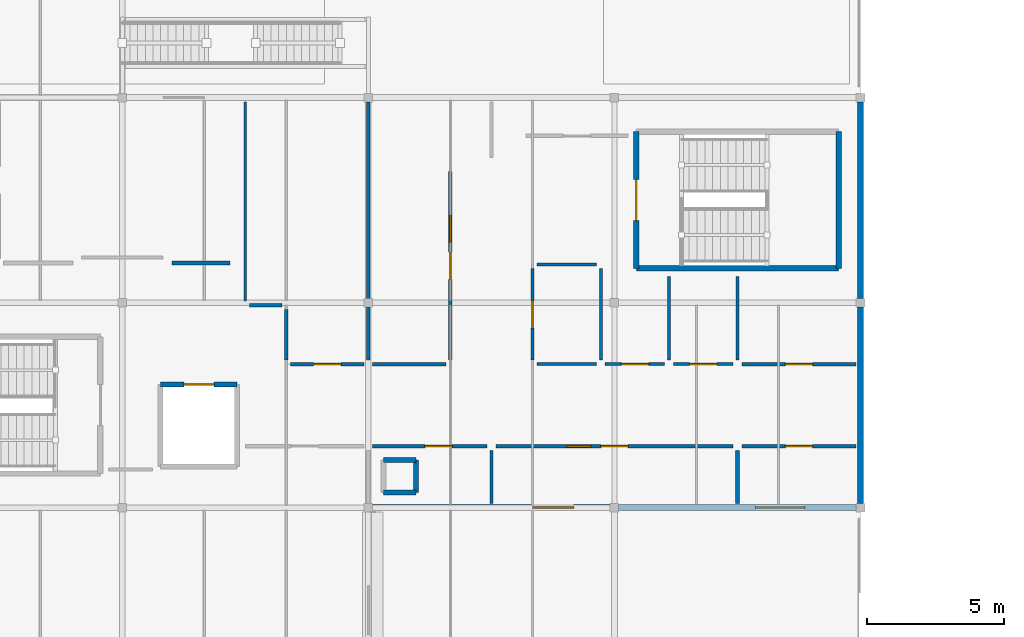
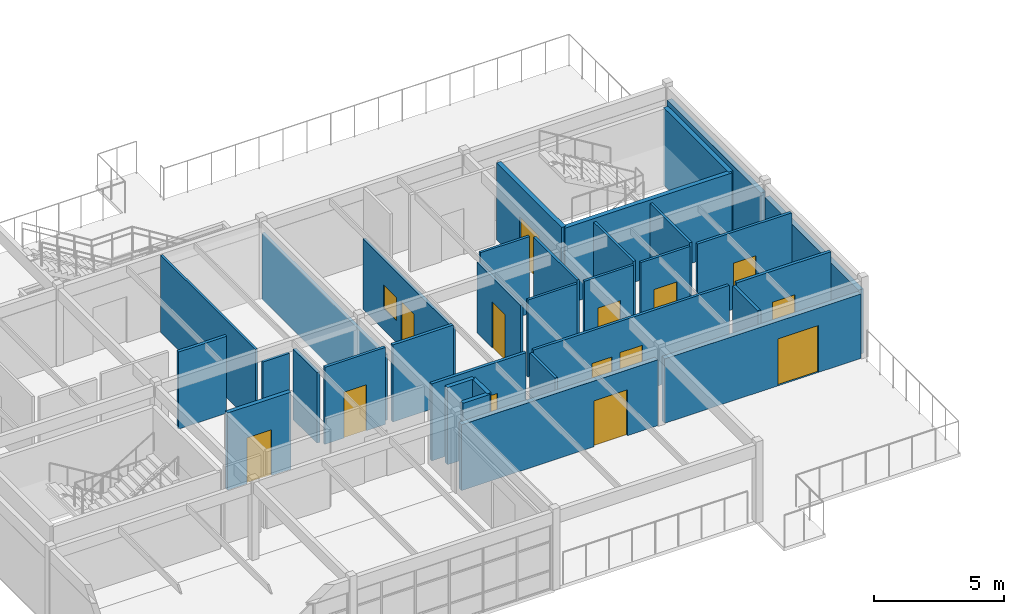
# One storey, part 20 of 24: 33 walls, 13 doors, 2 windows, 15 openings.
"""IFC4 building model written with IfcOpenShell, lengths in metres."""

from ifc_helpers import new_model, si_unit, direction, frame, frame_2d, origin, place, context, subcontext, project, spatial, rectangle, extrude, material, layer, layer_set, type_object, element, fill, save


model = new_model("IFC4")

# Units and contexts
model_context = context("Model", 3, precision=1e-05, world=origin(), true_north=direction((0.0, 1.0)))
body_context = subcontext(model_context, "Body", "Model", "MODEL_VIEW")
ifc_project = project(units=[si_unit("LENGTHUNIT", "METRE"), si_unit("AREAUNIT", "SQUARE_METRE"), si_unit("VOLUMEUNIT", "CUBIC_METRE"), si_unit("PLANEANGLEUNIT", "RADIAN"), si_unit("MASSUNIT", "GRAM", prefix="KILO")], contexts=[model_context])

# Site, building, storey
site_placement = place(None, origin())
site = spatial("IfcSite", under=ifc_project, at=site_placement, CompositionType="ELEMENT")
building_placement = place(site_placement, origin())
building = spatial("IfcBuilding", under=site, at=building_placement, Name="Marnridge Secondary College", CompositionType="ELEMENT")
storey_placement = place(building_placement, frame((0.0, 0.0, 16.10009765625)))
storey = spatial("IfcBuildingStorey", under=building, at=storey_placement, Name="L04", CompositionType="ELEMENT", Elevation=16.10009765625)

# Walls
ifc_material_1 = material(Name="Concrete C40/50 (AS 3600 N40, 40 MPa)", Category="concrete")
ifc_layer_1 = layer(ifc_material_1, 0.199951171875)
ifc_layer_set_1 = layer_set([ifc_layer_1], Name="WT-CORE-RC200")
wall_type_1 = type_object("IfcWallType", Name="WT-CORE-RC200", PredefinedType="SHEAR", material=ifc_layer_set_1)
wall_1_placement = place(storey_placement, frame((81.800048828125, 61.25, 0.0), z_axis=(0.0, 0.0, 1.0), x_axis=(1.0, 0.0, 0.0)))
element("IfcWall", 1, at=wall_1_placement, inside=storey, type_object=wall_type_1, Name="Stair core shear wall WC-L04-0289", PredefinedType="SHEAR", context=body_context, shape_type="SweptSolid", body=[
    extrude(rectangle(XDim=7.39990234375, YDim=0.199951171875, at=frame_2d((3.699951171875, 0.0))), origin(), (0.0, 0.0, 1.0), 3.60986328125),
])
wall_2_placement = place(storey_placement, frame((89.199951171875, 61.25, 0.0), z_axis=(0.0, 0.0, 1.0), x_axis=(0.0, 1.0, 0.0)))
element("IfcWall", 2, at=wall_2_placement, inside=storey, type_object=wall_type_1, Name="Stair core shear wall WC-L04-0290", PredefinedType="SHEAR", context=body_context, shape_type="SweptSolid", body=[
    extrude(rectangle(XDim=5.0, YDim=0.199951171875, at=frame_2d((2.5, 0.0))), origin(), (0.0, 0.0, 1.0), 3.60986328125),
])

# Wall, opening, door
wall_3_placement = place(storey_placement, frame((81.800048828125, 66.25, 0.0), z_axis=(0.0, 0.0, 1.0), x_axis=(0.0, -1.0, 0.0)))
wall_3 = element("IfcWall", 3, at=wall_3_placement, inside=storey, type_object=wall_type_1, Name="Stair core shear wall WC-L04-0292", PredefinedType="SHEAR", context=body_context, shape_type="SweptSolid", body=[
    extrude(rectangle(XDim=5.0, YDim=0.199951171875, at=frame_2d((2.5, 0.0))), origin(), (0.0, 0.0, 1.0), 3.60986328125),
])
opening_1_placement = place(wall_3_placement, frame((1.75, 0.0, 0.0)))
opening_1 = element("IfcOpeningElement", 4, at=opening_1_placement, cuts=wall_3, Name="Opening DC-L04-011", PredefinedType="OPENING", context=body_context, shape_type="SweptSolid", body=[
    extrude(rectangle(XDim=1.5, YDim=2.14990234375, at=frame_2d((0.75, 1.074951171875))), frame((0.0, 0.10986328125, 0.0), z_axis=(0.0, -1.0, 0.0), x_axis=(1.0, 0.0, 0.0)), (0.0, 0.0, 1.0), 0.219970703125),
])
ifc_material_2 = material(Name="Fire-rated solid-core timber doorset", Category="wood")
door_type_1 = type_object("IfcDoorType", Name="DT-CORE-FD150", OperationType="DOUBLE_DOOR_SINGLE_SWING", PredefinedType="DOOR", material=ifc_material_2)
door_1_placement = place(opening_1_placement, origin())
door_1 = element("IfcDoor", 5, at=door_1_placement, inside=storey, type_object=door_type_1, Name="Fire stair door DC-L04-011", OperationType="DOUBLE_DOOR_SINGLE_SWING", OverallHeight=2.14990234375, OverallWidth=1.5, PredefinedType="DOOR", context=body_context, shape_type="SweptSolid", body=[
    extrude(rectangle(XDim=1.5, YDim=2.14990234375, at=frame_2d((0.75, 1.074951171875))), frame((0.0, 0.02490234375, 0.0), z_axis=(0.0, -1.0, 0.0), x_axis=(1.0, 0.0, 0.0)), (0.0, 0.0, 1.0), 0.050048828125),
])
fill(opening_1, door_1)

# Walls
ifc_material_3 = material(Name="Cross-laminated timber CL5", Category="wood")
ifc_layer_2 = layer(ifc_material_3, 0.215087890625)
ifc_layer_set_2 = layer_set([ifc_layer_2], Name="WT-EXT-CLT215")
wall_type_2 = type_object("IfcWallType", Name="WT-EXT-CLT215", PredefinedType="SOLIDWALL", material=ifc_layer_set_2)
for number, where, z_axis, x_axis, name in (
    (6, (90.0, 67.346435546875, 0.0), (0.0, 0.0, 1.0), (0.0, -1.0, 0.0), "Exterior wall WE-L04-0198"),
    (7, (90.0, 59.846435546875, 0.0), (0.0, 0.0, 1.0), (0.0, -1.0, 0.0), "Exterior wall WE-L04-0199"),
):
    element("IfcWall", number, at=place(storey_placement, frame(where, z_axis=z_axis, x_axis=x_axis)), inside=storey, type_object=wall_type_2, Name=name, PredefinedType="SOLIDWALL", context=body_context, shape_type="SweptSolid", body=[
        extrude(rectangle(XDim=7.19287109375, YDim=0.215087890625, at=frame_2d((3.596435546875, 0.0))), origin(), (0.0, 0.0, 1.0), 3.016845703125),
    ])

# Wall, opening, door
wall_4_placement = place(storey_placement, frame((89.846435546875, 52.5, 0.0), z_axis=(0.0, 0.0, 1.0), x_axis=(-1.0, 0.0, 0.0)))
wall_4 = element("IfcWall", 8, at=wall_4_placement, inside=storey, type_object=wall_type_2, Name="Exterior wall WE-L04-0200", PredefinedType="SOLIDWALL", context=body_context, shape_type="SweptSolid", body=[
    extrude(rectangle(XDim=8.69287109375, YDim=0.215087890625, at=frame_2d((4.346435546875, 0.0))), origin(), (0.0, 0.0, 1.0), 3.016845703125),
])
opening_2_placement = place(wall_4_placement, frame((1.8818359375, 0.0, 0.0)))
opening_2 = element("IfcOpeningElement", 9, at=opening_2_placement, cuts=wall_4, Name="Opening DE-L04-043", PredefinedType="OPENING", context=body_context, shape_type="SweptSolid", body=[
    extrude(rectangle(XDim=1.800048828125, YDim=2.199951171875, at=frame_2d((0.89990234375, 1.10009765625))), frame((0.0, 0.117431640625, 0.0), z_axis=(0.0, -1.0, 0.0), x_axis=(1.0, 0.0, 0.0)), (0.0, 0.0, 1.0), 0.235107421875),
])
ifc_material_4 = material(Name="Thermally broken timber-aluminium terrace doorset", Category="wood")
door_type_2 = type_object("IfcDoorType", Name="DT-EXT-TER180", OperationType="DOUBLE_DOOR_SINGLE_SWING", PredefinedType="DOOR", material=ifc_material_4)
door_2_placement = place(opening_2_placement, origin())
door_2 = element("IfcDoor", 10, at=door_2_placement, inside=storey, type_object=door_type_2, Name="Play deck access door DE-L04-043", OperationType="DOUBLE_DOOR_SINGLE_SWING", OverallHeight=2.199951171875, OverallWidth=1.800048828125, PredefinedType="DOOR", context=body_context, shape_type="SweptSolid", body=[
    extrude(rectangle(XDim=1.800048828125, YDim=2.199951171875, at=frame_2d((0.89990234375, 1.10009765625))), frame((0.0, 0.02490234375, 0.0), z_axis=(0.0, -1.0, 0.0), x_axis=(1.0, 0.0, 0.0)), (0.0, 0.0, 1.0), 0.050048828125),
])
fill(opening_2, door_2)

wall_5_placement = place(storey_placement, frame((80.846435546875, 52.5, 0.0), z_axis=(0.0, 0.0, 1.0), x_axis=(-1.0, 0.0, 0.0)))
wall_5 = element("IfcWall", 11, at=wall_5_placement, inside=storey, type_object=wall_type_2, Name="Exterior wall WE-L04-0201", PredefinedType="SOLIDWALL", context=body_context, shape_type="SweptSolid", body=[
    extrude(rectangle(XDim=8.69287109375, YDim=0.215087890625, at=frame_2d((4.346435546875, 0.0))), origin(), (0.0, 0.0, 1.0), 3.081787109375),
])
opening_3_placement = place(wall_5_placement, frame((1.336181640625, 0.0, 0.0)))
opening_3 = element("IfcOpeningElement", 12, at=opening_3_placement, cuts=wall_5, Name="Opening DE-L04-044", PredefinedType="OPENING", context=body_context, shape_type="SweptSolid", body=[
    extrude(rectangle(XDim=1.5, YDim=2.14990234375, at=frame_2d((0.75, 1.074951171875))), frame((0.0, 0.117431640625, 0.0), z_axis=(0.0, -1.0, 0.0), x_axis=(1.0, 0.0, 0.0)), (0.0, 0.0, 1.0), 0.235107421875),
])
ifc_material_5 = material(Name="Thermally broken timber-aluminium terrace doorset", Category="wood")
door_type_3 = type_object("IfcDoorType", Name="DT-EXT-TER150", OperationType="DOUBLE_DOOR_SINGLE_SWING", PredefinedType="DOOR", material=ifc_material_5)
door_3_placement = place(opening_3_placement, origin())
door_3 = element("IfcDoor", 13, at=door_3_placement, inside=storey, type_object=door_type_3, Name="Play deck access door DE-L04-044", OperationType="DOUBLE_DOOR_SINGLE_SWING", OverallHeight=2.14990234375, OverallWidth=1.5, PredefinedType="DOOR", context=body_context, shape_type="SweptSolid", body=[
    extrude(rectangle(XDim=1.5, YDim=2.14990234375, at=frame_2d((0.75, 1.074951171875))), frame((0.0, 0.02490234375, 0.0), z_axis=(0.0, -1.0, 0.0), x_axis=(1.0, 0.0, 0.0)), (0.0, 0.0, 1.0), 0.050048828125),
])
fill(opening_3, door_3)

# Wall, openings, door, window
ifc_material_6 = material(Name="Acoustic plasterboard partition Rw45", Category="gypsum")
ifc_layer_3 = layer(ifc_material_6, 0.1201171875)
ifc_layer_set_3 = layer_set([ifc_layer_3], Name="WT-PART-AC120")
wall_type_3 = type_object("IfcWallType", Name="WT-PART-AC120", PredefinedType="PARTITIONING", material=ifc_layer_set_3)
wall_6_placement = place(storey_placement, frame((85.340087890625, 54.75, 0.0), z_axis=(0.0, 0.0, 1.0), x_axis=(-1.0, 0.0, 0.0)))
wall_6 = element("IfcWall", 14, at=wall_6_placement, inside=storey, type_object=wall_type_3, Name="Interior partition WP-L04-0411", PredefinedType="PARTITIONING", context=body_context, shape_type="SweptSolid", body=[
    extrude(rectangle(XDim=8.68017578125, YDim=0.1201171875, at=frame_2d((4.340087890625, 0.0))), origin(), (0.0, 0.0, 1.0), 3.60986328125),
])
opening_4_placement = place(wall_6_placement, frame((3.840087890625, 0.0, 0.0)))
opening_4 = element("IfcOpeningElement", 15, at=opening_4_placement, cuts=wall_6, Name="Opening DI-L04-0150", PredefinedType="OPENING", context=body_context, shape_type="SweptSolid", body=[
    extrude(rectangle(XDim=1.0, YDim=2.14990234375, at=frame_2d((0.5, 1.074951171875))), frame((0.0, 0.070068359375, 0.0), z_axis=(0.0, -1.0, 0.0), x_axis=(1.0, 0.0, 0.0)), (0.0, 0.0, 1.0), 0.14013671875),
])
opening_5_placement = place(wall_6_placement, frame((5.18994140625, 0.0, 1.02001953125)))
opening_5 = element("IfcOpeningElement", 16, at=opening_5_placement, cuts=wall_6, Name="Opening WNI-L04-037", PredefinedType="OPENING", context=body_context, shape_type="SweptSolid", body=[
    extrude(rectangle(XDim=0.89990234375, YDim=1.050048828125, at=frame_2d((0.449951171875, 0.52490234375))), frame((0.0, 0.070068359375, 0.0), z_axis=(0.0, -1.0, 0.0), x_axis=(1.0, 0.0, 0.0)), (0.0, 0.0, 1.0), 0.14013671875),
])
ifc_material_7 = material(Name="Solid-core acoustic hoop-pine classroom doorset", Category="wood")
door_type_4 = type_object("IfcDoorType", Name="DT-CLS-100", OperationType="NOTDEFINED", PredefinedType="DOOR", material=ifc_material_7)
door_4_placement = place(opening_4_placement, origin())
door_4 = element("IfcDoor", 17, at=door_4_placement, inside=storey, type_object=door_type_4, Name="Interior door DI-L04-0150", OperationType="SINGLE_SWING_RIGHT", OverallHeight=2.14990234375, OverallWidth=1.0, PredefinedType="DOOR", context=body_context, shape_type="SweptSolid", body=[
    extrude(rectangle(XDim=1.0, YDim=2.14990234375, at=frame_2d((0.5, 1.074951171875))), frame((0.0, 0.02490234375, 0.0), z_axis=(0.0, -1.0, 0.0), x_axis=(1.0, 0.0, 0.0)), (0.0, 0.0, 1.0), 0.050048828125),
])
fill(opening_4, door_4)
ifc_material_8 = material(Name="Acoustic laminated interior vision glazing", Category="glass")
window_type_1 = type_object("IfcWindowType", Name="WN-BL-VAR01", PartitioningType="DOUBLE_PANEL_VERTICAL", PredefinedType="WINDOW", material=ifc_material_8)
window_1_placement = place(opening_5_placement, origin())
window_1 = element("IfcWindow", 18, at=window_1_placement, inside=storey, type_object=window_type_1, Name="Interior vision window WNI-L04-037", OverallHeight=1.050048828125, OverallWidth=0.89990234375, PartitioningType="DOUBLE_PANEL_VERTICAL", PredefinedType="WINDOW", context=body_context, shape_type="SweptSolid", body=[
    extrude(rectangle(XDim=0.89990234375, YDim=1.050048828125, at=frame_2d((0.449951171875, 0.52490234375))), frame((0.0, 0.030029296875, 0.0), z_axis=(0.0, -1.0, 0.0), x_axis=(1.0, 0.0, 0.0)), (0.0, 0.0, 1.0), 0.06005859375),
])
fill(opening_5, window_1)

# Wall
wall_7_placement = place(storey_placement, frame((67.659912109375, 59.89990234375, 0.0), z_axis=(0.0, 0.0, 1.0), x_axis=(1.0, 0.0, 0.0)))
element("IfcWall", 19, at=wall_7_placement, inside=storey, type_object=wall_type_3, Name="Interior partition WP-L04-0417", PredefinedType="PARTITIONING", context=body_context, shape_type="SweptSolid", body=[
    extrude(rectangle(XDim=1.18017578125, YDim=0.1201171875, at=frame_2d((0.590087890625, 0.0))), origin(), (0.0, 0.0, 1.0), 3.081787109375),
])

# Wall, opening, door
wall_8_placement = place(storey_placement, frame((69.159912109375, 57.75, 0.0), z_axis=(0.0, 0.0, 1.0), x_axis=(1.0, 0.0, 0.0)))
wall_8 = element("IfcWall", 20, at=wall_8_placement, inside=storey, type_object=wall_type_3, Name="Interior partition WP-L04-0419", PredefinedType="PARTITIONING", context=body_context, shape_type="SweptSolid", body=[
    extrude(rectangle(XDim=2.68017578125, YDim=0.1201171875, at=frame_2d((1.340087890625, 0.0))), origin(), (0.0, 0.0, 1.0), 3.60986328125),
])
opening_6_placement = place(wall_8_placement, frame((0.840087890625, 0.0, 0.0)))
opening_6 = element("IfcOpeningElement", 21, at=opening_6_placement, cuts=wall_8, Name="Opening DI-L04-0153", PredefinedType="OPENING", context=body_context, shape_type="SweptSolid", body=[
    extrude(rectangle(XDim=1.0, YDim=2.14990234375, at=frame_2d((0.5, 1.074951171875))), frame((0.0, 0.070068359375, 0.0), z_axis=(0.0, -1.0, 0.0), x_axis=(1.0, 0.0, 0.0)), (0.0, 0.0, 1.0), 0.14013671875),
])
door_5_placement = place(opening_6_placement, origin())
door_5 = element("IfcDoor", 22, at=door_5_placement, inside=storey, type_object=door_type_4, Name="Interior door DI-L04-0153", OperationType="SINGLE_SWING_LEFT", OverallHeight=2.14990234375, OverallWidth=1.0, PredefinedType="DOOR", context=body_context, shape_type="SweptSolid", body=[
    extrude(rectangle(XDim=1.0, YDim=2.14990234375, at=frame_2d((0.5, 1.074951171875))), frame((0.0, 0.02490234375, 0.0), z_axis=(0.0, -1.0, 0.0), x_axis=(1.0, 0.0, 0.0)), (0.0, 0.0, 1.0), 0.050048828125),
])
fill(opening_6, door_5)

# Wall, openings, door, window
wall_9_placement = place(storey_placement, frame((75.0, 57.909912109375, 0.0), z_axis=(0.0, 0.0, 1.0), x_axis=(0.0, 1.0, 0.0)))
wall_9 = element("IfcWall", 23, at=wall_9_placement, inside=storey, type_object=wall_type_3, Name="Interior partition WP-L04-0421", PredefinedType="PARTITIONING", context=body_context, shape_type="SweptSolid", body=[
    extrude(rectangle(XDim=6.880126953125, YDim=0.1201171875, at=frame_2d((3.43994140625, 0.0))), origin(), (0.0, 0.0, 1.0), 3.302001953125),
])
opening_7_placement = place(wall_9_placement, frame((2.93994140625, 0.0, 0.0)))
opening_7 = element("IfcOpeningElement", 24, at=opening_7_placement, cuts=wall_9, Name="Opening DI-L04-0154", PredefinedType="OPENING", context=body_context, shape_type="SweptSolid", body=[
    extrude(rectangle(XDim=1.0, YDim=2.14990234375, at=frame_2d((0.5, 1.074951171875))), frame((0.0, 0.070068359375, 0.0), z_axis=(0.0, -1.0, 0.0), x_axis=(1.0, 0.0, 0.0)), (0.0, 0.0, 1.0), 0.14013671875),
])
opening_8_placement = place(wall_9_placement, frame((4.2900390625, 0.0, 1.02001953125)))
opening_8 = element("IfcOpeningElement", 25, at=opening_8_placement, cuts=wall_9, Name="Opening WNI-L04-038", PredefinedType="OPENING", context=body_context, shape_type="SweptSolid", body=[
    extrude(rectangle(XDim=1.0, YDim=1.080078125, at=frame_2d((0.5, 0.5400390625))), frame((0.0, 0.070068359375, 0.0), z_axis=(0.0, -1.0, 0.0), x_axis=(1.0, 0.0, 0.0)), (0.0, 0.0, 1.0), 0.14013671875),
])
door_6_placement = place(opening_7_placement, origin())
door_6 = element("IfcDoor", 26, at=door_6_placement, inside=storey, type_object=door_type_4, Name="Interior door DI-L04-0154", OperationType="SINGLE_SWING_RIGHT", OverallHeight=2.14990234375, OverallWidth=1.0, PredefinedType="DOOR", context=body_context, shape_type="SweptSolid", body=[
    extrude(rectangle(XDim=1.0, YDim=2.14990234375, at=frame_2d((0.5, 1.074951171875))), frame((0.0, 0.02490234375, 0.0), z_axis=(0.0, -1.0, 0.0), x_axis=(1.0, 0.0, 0.0)), (0.0, 0.0, 1.0), 0.050048828125),
])
fill(opening_7, door_6)
ifc_material_9 = material(Name="Acoustic laminated interior vision glazing", Category="glass")
window_type_2 = type_object("IfcWindowType", Name="WN-BL-VAR02", PartitioningType="DOUBLE_PANEL_VERTICAL", PredefinedType="WINDOW", material=ifc_material_9)
window_2_placement = place(opening_8_placement, origin())
window_2 = element("IfcWindow", 27, at=window_2_placement, inside=storey, type_object=window_type_2, Name="Interior vision window WNI-L04-038", OverallHeight=1.080078125, OverallWidth=1.0, PartitioningType="DOUBLE_PANEL_VERTICAL", PredefinedType="WINDOW", context=body_context, shape_type="SweptSolid", body=[
    extrude(rectangle(XDim=1.0, YDim=1.080078125, at=frame_2d((0.5, 0.5400390625))), frame((0.0, 0.030029296875, 0.0), z_axis=(0.0, -1.0, 0.0), x_axis=(1.0, 0.0, 0.0)), (0.0, 0.0, 1.0), 0.06005859375),
])
fill(opening_8, window_2)

# Wall, opening, door
wall_10_placement = place(storey_placement, frame((85.659912109375, 57.75, 0.0), z_axis=(0.0, 0.0, 1.0), x_axis=(1.0, 0.0, 0.0)))
wall_10 = element("IfcWall", 28, at=wall_10_placement, inside=storey, type_object=wall_type_3, Name="Interior partition WP-L04-0423", PredefinedType="PARTITIONING", context=body_context, shape_type="SweptSolid", body=[
    extrude(rectangle(XDim=4.18017578125, YDim=0.1201171875, at=frame_2d((2.090087890625, 0.0))), origin(), (0.0, 0.0, 1.0), 3.60986328125),
])
opening_9_placement = place(wall_10_placement, frame((1.590087890625, 0.0, 0.0)))
opening_9 = element("IfcOpeningElement", 29, at=opening_9_placement, cuts=wall_10, Name="Opening DI-L04-0156", PredefinedType="OPENING", context=body_context, shape_type="SweptSolid", body=[
    extrude(rectangle(XDim=1.0, YDim=2.14990234375, at=frame_2d((0.5, 1.074951171875))), frame((0.0, 0.070068359375, 0.0), z_axis=(0.0, -1.0, 0.0), x_axis=(1.0, 0.0, 0.0)), (0.0, 0.0, 1.0), 0.14013671875),
])
door_7_placement = place(opening_9_placement, origin())
door_7 = element("IfcDoor", 30, at=door_7_placement, inside=storey, type_object=door_type_4, Name="Interior door DI-L04-0156", OperationType="SINGLE_SWING_RIGHT", OverallHeight=2.14990234375, OverallWidth=1.0, PredefinedType="DOOR", context=body_context, shape_type="SweptSolid", body=[
    extrude(rectangle(XDim=1.0, YDim=2.14990234375, at=frame_2d((0.5, 1.074951171875))), frame((0.0, 0.02490234375, 0.0), z_axis=(0.0, -1.0, 0.0), x_axis=(1.0, 0.0, 0.0)), (0.0, 0.0, 1.0), 0.050048828125),
])
fill(opening_9, door_7)

# Wall
wall_11_placement = place(storey_placement, frame((76.5, 52.659912109375, 0.0), z_axis=(0.0, 0.0, 1.0), x_axis=(0.0, 1.0, 0.0)))
element("IfcWall", 31, at=wall_11_placement, inside=storey, type_object=wall_type_3, Name="Interior partition WP-L04-0425", PredefinedType="PARTITIONING", context=body_context, shape_type="SweptSolid", body=[
    extrude(rectangle(XDim=1.93017578125, YDim=0.1201171875, at=frame_2d((0.965087890625, 0.0))), origin(), (0.0, 0.0, 1.0), 3.60986328125),
])

# Wall, opening, door
ifc_material_10 = material(Name="Acoustic plasterboard partition Rw48", Category="gypsum")
ifc_layer_4 = layer(ifc_material_10, 0.135009765625)
ifc_layer_set_4 = layer_set([ifc_layer_4], Name="WT-PART-AC135")
wall_type_4 = type_object("IfcWallType", Name="WT-PART-AC135", PredefinedType="PARTITIONING", material=ifc_layer_set_4)
wall_12_placement = place(storey_placement, frame((76.340087890625, 54.75, 0.0), z_axis=(0.0, 0.0, 1.0), x_axis=(-1.0, 0.0, 0.0)))
wall_12 = element("IfcWall", 32, at=wall_12_placement, inside=storey, type_object=wall_type_4, Name="Interior partition WP-L04-0410", PredefinedType="PARTITIONING", context=body_context, shape_type="SweptSolid", body=[
    extrude(rectangle(XDim=4.18017578125, YDim=0.135009765625, at=frame_2d((2.090087890625, 0.0))), origin(), (0.0, 0.0, 1.0), 3.60986328125),
])
opening_10_placement = place(wall_12_placement, frame((1.27197265625, 0.0, 0.0)))
opening_10 = element("IfcOpeningElement", 33, at=opening_10_placement, cuts=wall_12, Name="Opening DI-L04-0149", PredefinedType="OPENING", context=body_context, shape_type="SweptSolid", body=[
    extrude(rectangle(XDim=1.0, YDim=2.14990234375, at=frame_2d((0.5, 1.074951171875))), frame((0.0, 0.077392578125, 0.0), z_axis=(0.0, -1.0, 0.0), x_axis=(1.0, 0.0, 0.0)), (0.0, 0.0, 1.0), 0.155029296875),
])
door_8_placement = place(opening_10_placement, origin())
door_8 = element("IfcDoor", 34, at=door_8_placement, inside=storey, type_object=door_type_4, Name="Interior door DI-L04-0149", OperationType="SINGLE_SWING_LEFT", OverallHeight=2.14990234375, OverallWidth=1.0, PredefinedType="DOOR", context=body_context, shape_type="SweptSolid", body=[
    extrude(rectangle(XDim=1.0, YDim=2.14990234375, at=frame_2d((0.5, 1.074951171875))), frame((0.0, 0.02490234375, 0.0), z_axis=(0.0, -1.0, 0.0), x_axis=(1.0, 0.0, 0.0)), (0.0, 0.0, 1.0), 0.050048828125),
])
fill(opening_10, door_8)

wall_13_placement = place(storey_placement, frame((89.840087890625, 54.75, 0.0), z_axis=(0.0, 0.0, 1.0), x_axis=(-1.0, 0.0, 0.0)))
wall_13 = element("IfcWall", 35, at=wall_13_placement, inside=storey, type_object=wall_type_4, Name="Interior partition WP-L04-0412", PredefinedType="PARTITIONING", context=body_context, shape_type="SweptSolid", body=[
    extrude(rectangle(XDim=4.18017578125, YDim=0.135009765625, at=frame_2d((2.090087890625, 0.0))), origin(), (0.0, 0.0, 1.0), 3.60986328125),
])
opening_11_placement = place(wall_13_placement, frame((1.590087890625, 0.0, 0.0)))
opening_11 = element("IfcOpeningElement", 36, at=opening_11_placement, cuts=wall_13, Name="Opening DI-L04-0151", PredefinedType="OPENING", context=body_context, shape_type="SweptSolid", body=[
    extrude(rectangle(XDim=1.0, YDim=2.14990234375, at=frame_2d((0.5, 1.074951171875))), frame((0.0, 0.077392578125, 0.0), z_axis=(0.0, -1.0, 0.0), x_axis=(1.0, 0.0, 0.0)), (0.0, 0.0, 1.0), 0.155029296875),
])
door_9_placement = place(opening_11_placement, origin())
door_9 = element("IfcDoor", 37, at=door_9_placement, inside=storey, type_object=door_type_4, Name="Interior door DI-L04-0151", OperationType="SINGLE_SWING_LEFT", OverallHeight=2.14990234375, OverallWidth=1.0, PredefinedType="DOOR", context=body_context, shape_type="SweptSolid", body=[
    extrude(rectangle(XDim=1.0, YDim=2.14990234375, at=frame_2d((0.5, 1.074951171875))), frame((0.0, 0.02490234375, 0.0), z_axis=(0.0, -1.0, 0.0), x_axis=(1.0, 0.0, 0.0)), (0.0, 0.0, 1.0), 0.050048828125),
])
fill(opening_11, door_9)

# Walls
wall_14_placement = place(storey_placement, frame((64.81005859375, 61.449951171875, 0.0), z_axis=(0.0, 0.0, 1.0), x_axis=(1.0, 0.0, 0.0)))
element("IfcWall", 38, at=wall_14_placement, inside=storey, type_object=wall_type_4, Name="Interior partition WP-L04-0416", PredefinedType="PARTITIONING", context=body_context, shape_type="SweptSolid", body=[
    extrude(rectangle(XDim=2.1298828125, YDim=0.135009765625, at=frame_2d((1.06494140625, 0.0))), origin(), (0.0, 0.0, 1.0), 3.60986328125),
])
wall_15_placement = place(storey_placement, frame((69.0, 59.739990234375, 0.0), z_axis=(0.0, 0.0, 1.0), x_axis=(0.0, -1.0, 0.0)))
element("IfcWall", 39, at=wall_15_placement, inside=storey, type_object=wall_type_4, Name="Interior partition WP-L04-0418", PredefinedType="PARTITIONING", context=body_context, shape_type="SweptSolid", body=[
    extrude(rectangle(XDim=1.830078125, YDim=0.135009765625, at=frame_2d((0.9150390625, 0.0))), origin(), (0.0, 0.0, 1.0), 3.302001953125),
])
wall_16_placement = place(storey_placement, frame((72.159912109375, 57.75, 0.0), z_axis=(0.0, 0.0, 1.0), x_axis=(1.0, 0.0, 0.0)))
element("IfcWall", 40, at=wall_16_placement, inside=storey, type_object=wall_type_4, Name="Interior partition WP-L04-0420", PredefinedType="PARTITIONING", context=body_context, shape_type="SweptSolid", body=[
    extrude(rectangle(XDim=2.68017578125, YDim=0.135009765625, at=frame_2d((1.340087890625, 0.0))), origin(), (0.0, 0.0, 1.0), 3.60986328125),
])
wall_17_placement = place(storey_placement, frame((85.5, 52.659912109375, 0.0), z_axis=(0.0, 0.0, 1.0), x_axis=(0.0, 1.0, 0.0)))
element("IfcWall", 41, at=wall_17_placement, inside=storey, type_object=wall_type_4, Name="Interior partition WP-L04-0426", PredefinedType="PARTITIONING", context=body_context, shape_type="SweptSolid", body=[
    extrude(rectangle(XDim=1.93017578125, YDim=0.135009765625, at=frame_2d((0.965087890625, 0.0))), origin(), (0.0, 0.0, 1.0), 3.60986328125),
])
wall_18_placement = place(storey_placement, frame((72.0, 57.909912109375, 0.0), z_axis=(0.0, 0.0, 1.0), x_axis=(0.0, 1.0, 0.0)))
element("IfcWall", 42, at=wall_18_placement, inside=storey, type_object=wall_type_4, Name="Interior partition WP-L04-0428", PredefinedType="PARTITIONING", context=body_context, shape_type="SweptSolid", body=[
    extrude(rectangle(XDim=9.43017578125, YDim=0.135009765625, at=frame_2d((4.715087890625, 0.0))), origin(), (0.0, 0.0, 1.0), 3.081787109375),
])
ifc_material_11 = material(Name="Acoustic glazed studio partition system", Category="gypsum")
ifc_layer_5 = layer(ifc_material_11, 0.10009765625)
ifc_layer_set_5 = layer_set([ifc_layer_5], Name="WT-PART-GL100")
wall_type_5 = type_object("IfcWallType", Name="WT-PART-GL100", PredefinedType="PARTITIONING", material=ifc_layer_set_5)
wall_19_placement = place(storey_placement, frame((67.5, 60.06005859375, 0.0), z_axis=(0.0, 0.0, 1.0), x_axis=(0.0, 1.0, 0.0)))
element("IfcWall", 43, at=wall_19_placement, inside=storey, type_object=wall_type_5, Name="Interior partition WP-L04-0427", PredefinedType="PARTITIONING", context=body_context, shape_type="SweptSolid", body=[
    extrude(rectangle(XDim=7.280029296875, YDim=0.10009765625, at=frame_2d((3.64013671875, 0.0))), origin(), (0.0, 0.0, 1.0), 3.60986328125),
])
ifc_material_12 = material(Name="Moisture-resistant plasterboard sanitary partition", Category="gypsum")
ifc_layer_6 = layer(ifc_material_12, 0.110107421875)
ifc_layer_set_6 = layer_set([ifc_layer_6], Name="WT-PART-WT110")
wall_type_6 = type_object("IfcWallType", Name="WT-PART-WT110", PredefinedType="PARTITIONING", material=ifc_layer_set_6)
wall_20_placement = place(storey_placement, frame((80.5, 57.909912109375, 0.0), z_axis=(0.0, 0.0, 1.0), x_axis=(0.0, 1.0, 0.0)))
element("IfcWall", 44, at=wall_20_placement, inside=storey, type_object=wall_type_6, Name="Interior partition WP-L04-0400", PredefinedType="PARTITIONING", context=body_context, shape_type="SweptSolid", body=[
    extrude(rectangle(XDim=3.330078125, YDim=0.110107421875, at=frame_2d((1.6650390625, 0.0))), origin(), (0.0, 0.0, 1.0), 3.60986328125),
])

# Wall, opening, door
wall_21_placement = place(storey_placement, frame((78.0, 61.239990234375, 0.0), z_axis=(0.0, 0.0, 1.0), x_axis=(0.0, -1.0, 0.0)))
wall_21 = element("IfcWall", 45, at=wall_21_placement, inside=storey, type_object=wall_type_6, Name="Interior partition WP-L04-0401", PredefinedType="PARTITIONING", context=body_context, shape_type="SweptSolid", body=[
    extrude(rectangle(XDim=3.330078125, YDim=0.110107421875, at=frame_2d((1.6650390625, 0.0))), origin(), (0.0, 0.0, 1.0), 3.302001953125),
])
opening_12_placement = place(wall_21_placement, frame((1.1650390625, 0.0, 0.0)))
opening_12 = element("IfcOpeningElement", 46, at=opening_12_placement, cuts=wall_21, Name="Opening DI-L04-0145", PredefinedType="OPENING", context=body_context, shape_type="SweptSolid", body=[
    extrude(rectangle(XDim=1.0, YDim=2.14990234375, at=frame_2d((0.5, 1.074951171875))), frame((0.0, 0.06494140625, 0.0), z_axis=(0.0, -1.0, 0.0), x_axis=(1.0, 0.0, 0.0)), (0.0, 0.0, 1.0), 0.130126953125),
])
door_10_placement = place(opening_12_placement, origin())
door_10 = element("IfcDoor", 47, at=door_10_placement, inside=storey, type_object=door_type_4, Name="Interior door DI-L04-0145", OperationType="SINGLE_SWING_LEFT", OverallHeight=2.14990234375, OverallWidth=1.0, PredefinedType="DOOR", context=body_context, shape_type="SweptSolid", body=[
    extrude(rectangle(XDim=1.0, YDim=2.14990234375, at=frame_2d((0.5, 1.074951171875))), frame((0.0, 0.02490234375, 0.0), z_axis=(0.0, -1.0, 0.0), x_axis=(1.0, 0.0, 0.0)), (0.0, 0.0, 1.0), 0.050048828125),
])
fill(opening_12, door_10)

# Walls
for number, where, z_axis, x_axis, name in (
    (48, (80.340087890625, 61.39990234375, 0.0), (0.0, 0.0, 1.0), (-1.0, 0.0, 0.0), "Interior partition WP-L04-0402"),
    (49, (78.159912109375, 57.75, 0.0), (0.0, 0.0, 1.0), (1.0, 0.0, 0.0), "Interior partition WP-L04-0403"),
):
    element("IfcWall", number, at=place(storey_placement, frame(where, z_axis=z_axis, x_axis=x_axis)), inside=storey, type_object=wall_type_6, Name=name, PredefinedType="PARTITIONING", context=body_context, shape_type="SweptSolid", body=[
        extrude(rectangle(XDim=2.18017578125, YDim=0.110107421875, at=frame_2d((1.090087890625, 0.0))), origin(), (0.0, 0.0, 1.0), 3.60986328125),
    ])
wall_22_placement = place(storey_placement, frame((83.0, 57.909912109375, 0.0), z_axis=(0.0, 0.0, 1.0), x_axis=(0.0, 1.0, 0.0)))
element("IfcWall", 50, at=wall_22_placement, inside=storey, type_object=wall_type_6, Name="Interior partition WP-L04-0404", PredefinedType="PARTITIONING", context=body_context, shape_type="SweptSolid", body=[
    extrude(rectangle(XDim=3.0400390625, YDim=0.110107421875, at=frame_2d((1.52001953125, 0.0))), origin(), (0.0, 0.0, 1.0), 3.60986328125),
])

# Wall, opening, door
wall_23_placement = place(storey_placement, frame((80.659912109375, 57.75, 0.0), z_axis=(0.0, 0.0, 1.0), x_axis=(1.0, 0.0, 0.0)))
wall_23 = element("IfcWall", 51, at=wall_23_placement, inside=storey, type_object=wall_type_6, Name="Interior partition WP-L04-0405", PredefinedType="PARTITIONING", context=body_context, shape_type="SweptSolid", body=[
    extrude(rectangle(XDim=2.18017578125, YDim=0.110107421875, at=frame_2d((1.090087890625, 0.0))), origin(), (0.0, 0.0, 1.0), 3.60986328125),
])
opening_13_placement = place(wall_23_placement, frame((0.590087890625, 0.0, 0.0)))
opening_13 = element("IfcOpeningElement", 52, at=opening_13_placement, cuts=wall_23, Name="Opening DI-L04-0146", PredefinedType="OPENING", context=body_context, shape_type="SweptSolid", body=[
    extrude(rectangle(XDim=1.0, YDim=2.14990234375, at=frame_2d((0.5, 1.074951171875))), frame((0.0, 0.06494140625, 0.0), z_axis=(0.0, -1.0, 0.0), x_axis=(1.0, 0.0, 0.0)), (0.0, 0.0, 1.0), 0.130126953125),
])
door_11_placement = place(opening_13_placement, origin())
door_11 = element("IfcDoor", 53, at=door_11_placement, inside=storey, type_object=door_type_4, Name="Interior door DI-L04-0146", OperationType="SINGLE_SWING_RIGHT", OverallHeight=2.14990234375, OverallWidth=1.0, PredefinedType="DOOR", context=body_context, shape_type="SweptSolid", body=[
    extrude(rectangle(XDim=1.0, YDim=2.14990234375, at=frame_2d((0.5, 1.074951171875))), frame((0.0, 0.02490234375, 0.0), z_axis=(0.0, -1.0, 0.0), x_axis=(1.0, 0.0, 0.0)), (0.0, 0.0, 1.0), 0.050048828125),
])
fill(opening_13, door_11)

wall_24_placement = place(storey_placement, frame((83.159912109375, 57.75, 0.0), z_axis=(0.0, 0.0, 1.0), x_axis=(1.0, 0.0, 0.0)))
wall_24 = element("IfcWall", 54, at=wall_24_placement, inside=storey, type_object=wall_type_6, Name="Interior partition WP-L04-0406", PredefinedType="PARTITIONING", context=body_context, shape_type="SweptSolid", body=[
    extrude(rectangle(XDim=2.18017578125, YDim=0.110107421875, at=frame_2d((1.090087890625, 0.0))), origin(), (0.0, 0.0, 1.0), 3.60986328125),
])
opening_14_placement = place(wall_24_placement, frame((0.590087890625, 0.0, 0.0)))
opening_14 = element("IfcOpeningElement", 55, at=opening_14_placement, cuts=wall_24, Name="Opening DI-L04-0147", PredefinedType="OPENING", context=body_context, shape_type="SweptSolid", body=[
    extrude(rectangle(XDim=1.0, YDim=2.14990234375, at=frame_2d((0.5, 1.074951171875))), frame((0.0, 0.06494140625, 0.0), z_axis=(0.0, -1.0, 0.0), x_axis=(1.0, 0.0, 0.0)), (0.0, 0.0, 1.0), 0.130126953125),
])
door_12_placement = place(opening_14_placement, origin())
door_12 = element("IfcDoor", 56, at=door_12_placement, inside=storey, type_object=door_type_4, Name="Interior door DI-L04-0147", OperationType="SINGLE_SWING_LEFT", OverallHeight=2.14990234375, OverallWidth=1.0, PredefinedType="DOOR", context=body_context, shape_type="SweptSolid", body=[
    extrude(rectangle(XDim=1.0, YDim=2.14990234375, at=frame_2d((0.5, 1.074951171875))), frame((0.0, 0.02490234375, 0.0), z_axis=(0.0, -1.0, 0.0), x_axis=(1.0, 0.0, 0.0)), (0.0, 0.0, 1.0), 0.050048828125),
])
fill(opening_14, door_12)

# Walls
wall_25_placement = place(storey_placement, frame((85.5, 57.909912109375, 0.0), z_axis=(0.0, 0.0, 1.0), x_axis=(0.0, 1.0, 0.0)))
element("IfcWall", 57, at=wall_25_placement, inside=storey, type_object=wall_type_6, Name="Interior partition WP-L04-0407", PredefinedType="PARTITIONING", context=body_context, shape_type="SweptSolid", body=[
    extrude(rectangle(XDim=3.0400390625, YDim=0.110107421875, at=frame_2d((1.52001953125, 0.0))), origin(), (0.0, 0.0, 1.0), 3.60986328125),
])
ifc_material_13 = material(Name="Concrete C40/50 (AS 3600 N40, 40 MPa)", Category="concrete")
ifc_layer_7 = layer(ifc_material_13, 0.179931640625)
ifc_layer_set_7 = layer_set([ifc_layer_7], Name="WT-SHAFT-RC180")
wall_type_7 = type_object("IfcWallType", Name="WT-SHAFT-RC180", PredefinedType="SHEAR", material=ifc_layer_set_7)
for number, where, z_axis, x_axis, name in (
    (58, (73.75, 53.050048828125, 0.0), (0.0, 0.0, 1.0), (-1.0, 0.0, 0.0), "Service riser shaft wall WR-L04-0237"),
    (59, (72.550048828125, 54.25, 0.0), (0.0, 0.0, 1.0), (1.0, 0.0, 0.0), "Service riser shaft wall WR-L04-0239"),
    (60, (73.75, 54.25, 0.0), (0.0, 0.0, 1.0), (0.0, -1.0, 0.0), "Service riser shaft wall WR-L04-0240"),
):
    element("IfcWall", number, at=place(storey_placement, frame(where, z_axis=z_axis, x_axis=x_axis)), inside=storey, type_object=wall_type_7, Name=name, PredefinedType="SHEAR", context=body_context, shape_type="SweptSolid", body=[
        extrude(rectangle(XDim=1.199951171875, YDim=0.179931640625, at=frame_2d((0.60009765625, 0.0))), origin(), (0.0, 0.0, 1.0), 3.60986328125),
    ])

# Wall, opening, door
wall_26_placement = place(storey_placement, frame((64.39990234375, 57.0, 0.0), z_axis=(0.0, 0.0, 1.0), x_axis=(1.0, 0.0, 0.0)))
wall_26 = element("IfcWall", 61, at=wall_26_placement, inside=storey, type_object=wall_type_7, Name="Lift shaft wall WL-L04-0427", PredefinedType="SHEAR", context=body_context, shape_type="SweptSolid", body=[
    extrude(rectangle(XDim=2.800048828125, YDim=0.179931640625, at=frame_2d((1.39990234375, 0.0))), origin(), (0.0, 0.0, 1.0), 3.60986328125),
])
opening_15_placement = place(wall_26_placement, frame((0.85009765625, 0.0, 0.0)))
opening_15 = element("IfcOpeningElement", 62, at=opening_15_placement, cuts=wall_26, Name="Opening LD-LC-01-L04", PredefinedType="OPENING", context=body_context, shape_type="SweptSolid", body=[
    extrude(rectangle(XDim=1.10009765625, YDim=2.14990234375, at=frame_2d((0.550048828125, 1.074951171875))), frame((0.0, 0.099853515625, 0.0), z_axis=(0.0, -1.0, 0.0), x_axis=(1.0, 0.0, 0.0)), (0.0, 0.0, 1.0), 0.199951171875),
])
ifc_material_14 = material(Name="Stainless steel Grade 350 automatic sliding lift landing doorset", Category="steel")
door_type_5 = type_object("IfcDoorType", Name="DT-LIFT-LD110", OperationType="SLIDING_TO_LEFT", PredefinedType="DOOR", material=ifc_material_14)
door_13_placement = place(opening_15_placement, origin())
door_13 = element("IfcDoor", 63, at=door_13_placement, inside=storey, type_object=door_type_5, Name="Sliding lift landing door LD-LC-01-L04", OperationType="SLIDING_TO_LEFT", OverallHeight=2.14990234375, OverallWidth=1.10009765625, PredefinedType="DOOR", context=body_context, shape_type="SweptSolid", body=[
    extrude(rectangle(XDim=1.10009765625, YDim=2.14990234375, at=frame_2d((0.550048828125, 1.074951171875))), frame((0.0, 0.02490234375, 0.0), z_axis=(0.0, -1.0, 0.0), x_axis=(1.0, 0.0, 0.0)), (0.0, 0.0, 1.0), 0.050048828125),
])
fill(opening_15, door_13)

save(model, "model.ifc")
